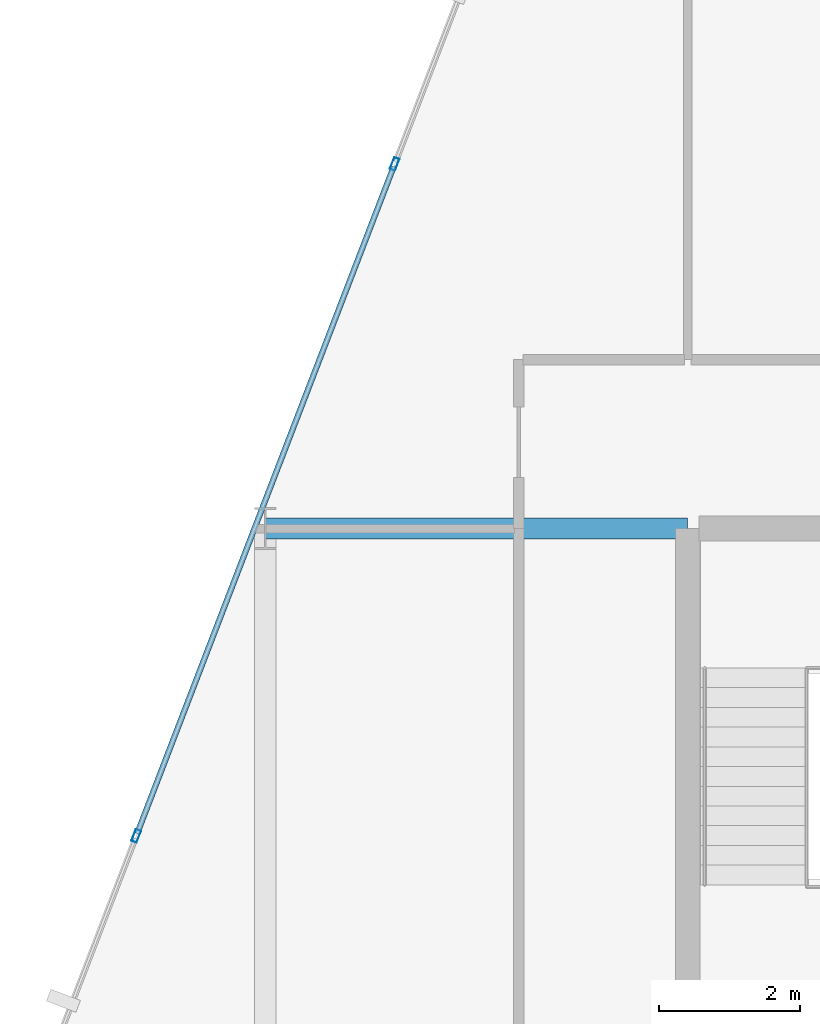
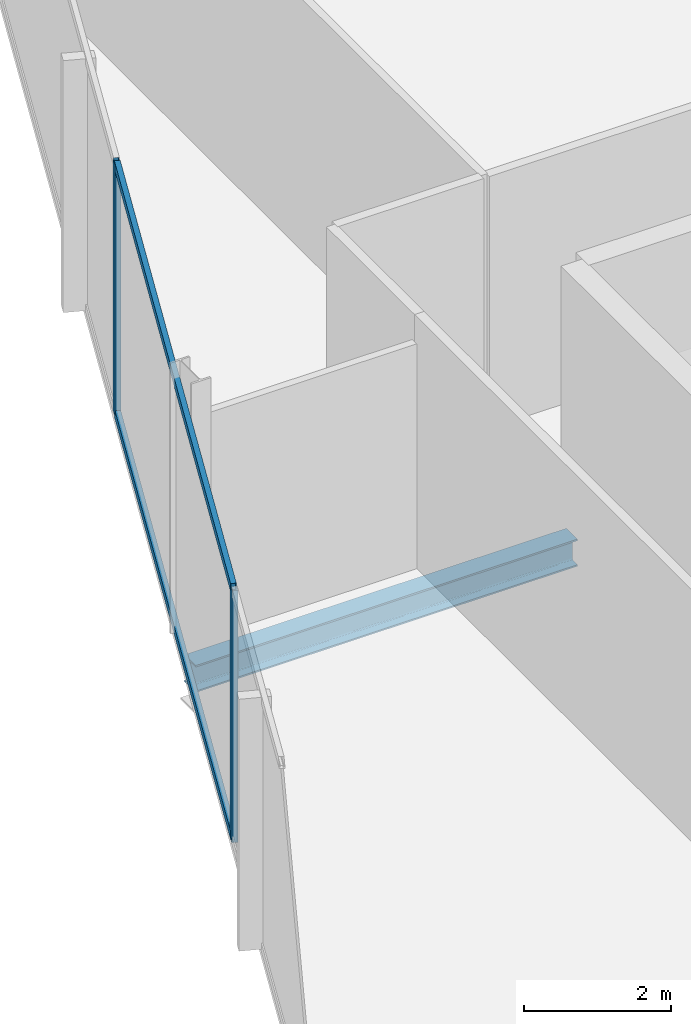
# One storey, part 14 of 31: 4 members, 1 beam, 1 element without a shape of its own.
"""IFC4 building model written with IfcOpenShell, lengths in metres."""

from ifc_helpers import new_model, si_unit, direction, frame, origin, origin_2d, place, context, subcontext, project, spatial, hollow_rectangle, i_section, extrude, material, layer, layer_set, material_profile, profile_set, type_object, element, aggregate, save


model = new_model("IFC4")

# Units and contexts
model_context = context("Model", 3, precision=1e-05, world=origin(), true_north=direction((0.0, 1.0)))
body_context = subcontext(model_context, "Body", "Model", "MODEL_VIEW")
ifc_project = project(units=[si_unit("LENGTHUNIT", "METRE"), si_unit("AREAUNIT", "SQUARE_METRE"), si_unit("VOLUMEUNIT", "CUBIC_METRE"), si_unit("PLANEANGLEUNIT", "RADIAN"), si_unit("MASSUNIT", "GRAM", prefix="KILO")], contexts=[model_context])

# Site, building, storey
site_placement = place(None, origin())
site = spatial("IfcSite", under=ifc_project, at=site_placement, CompositionType="ELEMENT")
building_placement = place(site_placement, origin())
building = spatial("IfcBuilding", under=site, at=building_placement, Name="Keshet Zoharim Tower", CompositionType="ELEMENT")
storey_placement = place(building_placement, frame((0.0, 0.0, 125.300048828125)))
storey = spatial("IfcBuildingStorey", under=building, at=storey_placement, Name="L30", CompositionType="ELEMENT", Elevation=125.300048828125)

# Beam
ifc_material_1 = material(Name="Steel S355", Category="steel")
ifc_material_profile_1 = material_profile(ifc_material_1, i_section(OverallWidth=0.300048828125, OverallDepth=0.449951171875, WebThickness=0.013916015625, FlangeThickness=0.02587890625, FilletRadius=0.027099609375, at=origin_2d()), Name="HEB450")
ifc_profile_set_1 = profile_set([ifc_material_profile_1], Name="Steel S355")
beam_type = type_object("IfcBeamType", Name="BM-WEB-HB450", PredefinedType="BEAM", material=ifc_profile_set_1)
beam_placement = place(storey_placement, frame((9.0, 37.89990234375, -0.545166015625), z_axis=(1.0, 0.0, 0.0), x_axis=(0.0, 1.0, 0.0)))
element("IfcBeam", 1, at=beam_placement, inside=storey, type_object=beam_type, Name="L30 Primary Girder X-018", PredefinedType="BEAM", context=body_context, shape_type="SweptSolid", body=[
    extrude(i_section(OverallWidth=0.300048828125, OverallDepth=0.449951171875, WebThickness=0.013916015625, FlangeThickness=0.02587890625, FilletRadius=0.027099609375, at=origin_2d()), origin(), (0.0, 0.0, 1.0), 6.0),
])

# Curtain wall, members
ifc_material_2 = material(Name="Aluminium 6063-T6", Category="aluminium")
ifc_layer = layer(ifc_material_2, 0.14990234375)
ifc_layer_set = layer_set([ifc_layer], Name="Aluminium 6063-T6")
curtain_wall_type = type_object("IfcCurtainWallType", Name="CW-SYS-04", PredefinedType="NOTDEFINED", material=ifc_layer_set)
curtain_wall_placement = place(storey_placement, origin())
curtain_wall = element("IfcCurtainWall", 2, at=curtain_wall_placement, inside=storey, type_object=curtain_wall_type, Name="L30 Unitised Curtain Wall 16", PredefinedType="NOTDEFINED")
ifc_material_profile_2 = material_profile(ifc_material_2, hollow_rectangle(XDim=0.080078125, YDim=0.179931640625, WallThickness=0.00439453125, at=origin_2d()), Name="MUL-80x180")
ifc_profile_set_2 = profile_set([ifc_material_profile_2], Name="Aluminium 6063-T6")
member_type_1 = type_object("IfcMemberType", Name="CWM-M18", PredefinedType="MULLION", material=ifc_profile_set_2)
member_1_placement = place(storey_placement, frame((7.1669921875, 33.53466796875, 0.0), z_axis=(0.0, 0.0, 1.0), x_axis=(-0.933341404361, 0.358990003907, 0.0)))
member_1 = element("IfcMember", 3, at=member_1_placement, type_object=member_type_1, Name="CW-04 mullion 2", PredefinedType="MULLION", context=body_context, shape_type="SweptSolid", body=[
    extrude(hollow_rectangle(XDim=0.080078125, YDim=0.179931640625, WallThickness=0.00439453125, at=origin_2d()), origin(), (0.0, 0.0, 1.0), 4.18505859375),
])
member_2_placement = place(storey_placement, frame((10.8369140625, 43.076416015625, 0.0), z_axis=(0.0, 0.0, 1.0), x_axis=(-0.933341404361, 0.358990003907, 0.0)))
member_2 = element("IfcMember", 4, at=member_2_placement, type_object=member_type_1, Name="CW-04 mullion 3", PredefinedType="MULLION", context=body_context, shape_type="SweptSolid", body=[
    extrude(hollow_rectangle(XDim=0.080078125, YDim=0.179931640625, WallThickness=0.00439453125, at=origin_2d()), origin(), (0.0, 0.0, 1.0), 4.18505859375),
])
ifc_material_profile_3 = material_profile(ifc_material_2, hollow_rectangle(XDim=0.080078125, YDim=0.139892578125, WallThickness=0.00390625, at=origin_2d()), Name="TRN-80x140")
ifc_profile_set_3 = profile_set([ifc_material_profile_3], Name="Aluminium 6063-T6")
member_type_2 = type_object("IfcMemberType", Name="CWT-T14", PredefinedType="USERDEFINED", material=ifc_profile_set_3)
member_3_placement = place(storey_placement, frame((7.179443359375, 33.5673828125, 0.034912109375), z_axis=(0.359003248899, 0.933336309848, 0.0), x_axis=(-0.933336309848, 0.359003248899, 0.0)))
member_3 = element("IfcMember", 5, at=member_3_placement, type_object=member_type_2, Name="CW-04 transom 2.1", ObjectType="TRANSOM", PredefinedType="USERDEFINED", context=body_context, shape_type="SweptSolid", body=[
    extrude(hollow_rectangle(XDim=0.080078125, YDim=0.139892578125, WallThickness=0.00390625, at=origin_2d()), origin(), (0.0, 0.0, 1.0), 10.153076171875),
])
member_4_placement = place(storey_placement, frame((7.179443359375, 33.5673828125, 4.14990234375), z_axis=(0.359003248899, 0.933336309848, 0.0), x_axis=(-0.933336309848, 0.359003248899, 0.0)))
member_4 = element("IfcMember", 6, at=member_4_placement, type_object=member_type_2, Name="CW-04 transom 2.2", ObjectType="TRANSOM", PredefinedType="USERDEFINED", context=body_context, shape_type="SweptSolid", body=[
    extrude(hollow_rectangle(XDim=0.080078125, YDim=0.139892578125, WallThickness=0.00390625, at=origin_2d()), origin(), (0.0, 0.0, 1.0), 10.153076171875),
])
aggregate(curtain_wall, [member_1, member_2, member_3, member_4])

save(model, "model.ifc")
